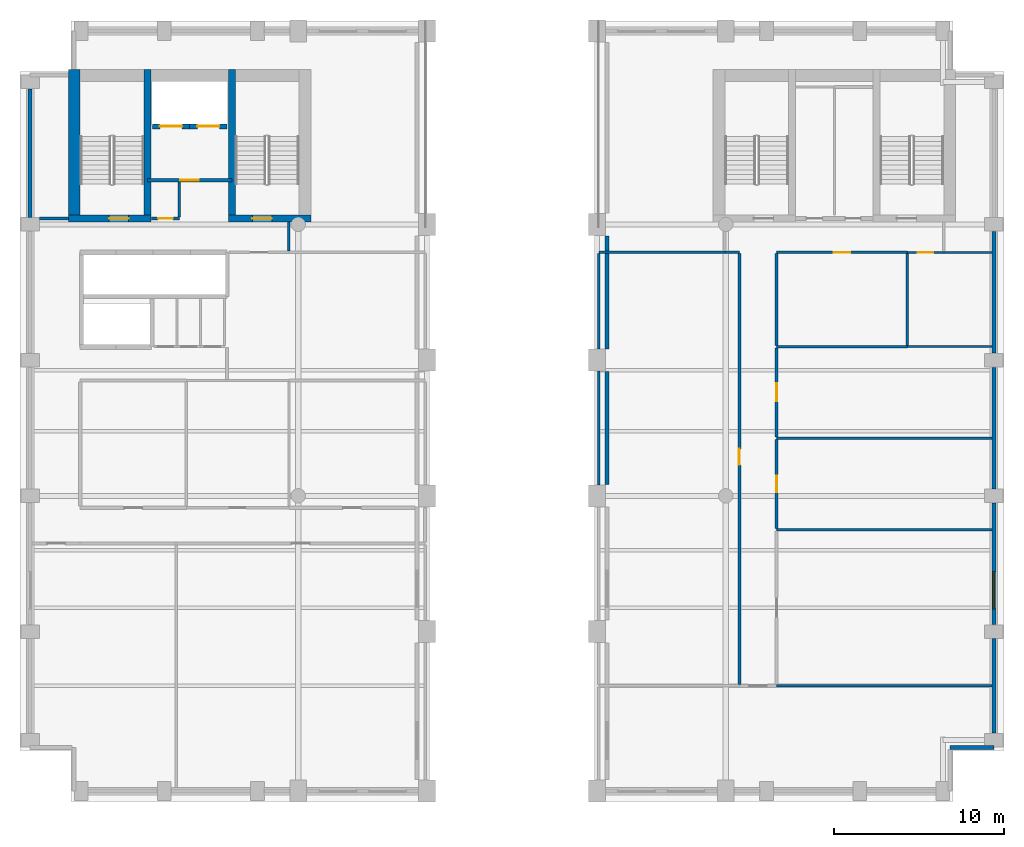
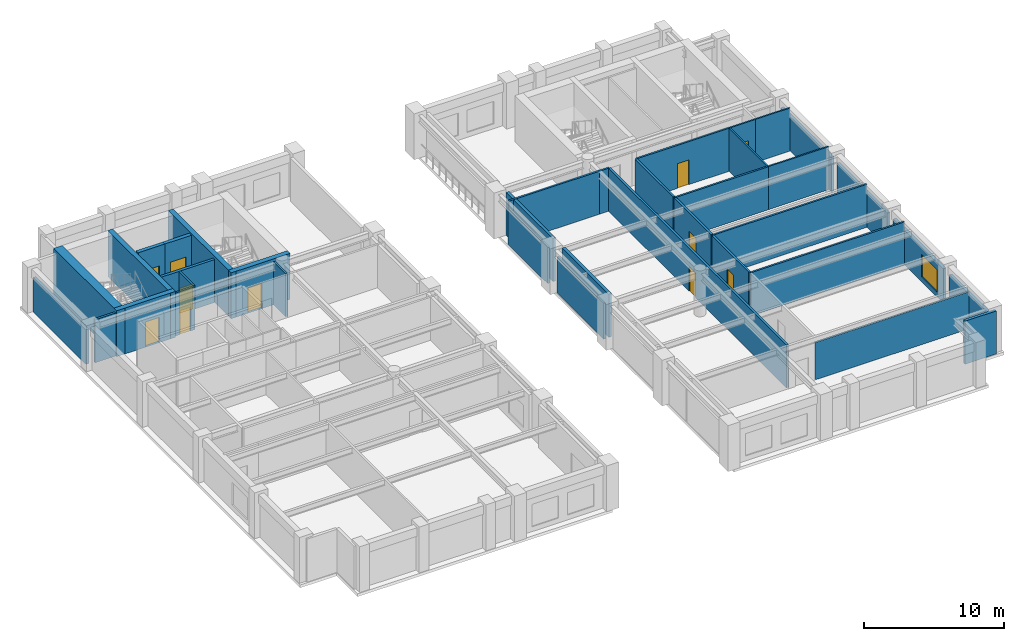
# One storey, part 4 of 8: 37 walls, 11 doors, 1 window, 12 openings.
"""IFC4 building model written with IfcOpenShell, lengths in metres."""

from ifc_helpers import new_model, si_unit, direction, frame, frame_2d, origin, place, context, subcontext, project, spatial, rectangle, extrude, material, layer, layer_set, type_object, element, fill, save


model = new_model("IFC4")

# Units and contexts
model_context = context("Model", 3, precision=1e-05, world=origin(), true_north=direction((0.0, 1.0)))
body_context = subcontext(model_context, "Body", "Model", "MODEL_VIEW")
ifc_project = project(units=[si_unit("LENGTHUNIT", "METRE"), si_unit("AREAUNIT", "SQUARE_METRE"), si_unit("VOLUMEUNIT", "CUBIC_METRE"), si_unit("PLANEANGLEUNIT", "RADIAN"), si_unit("MASSUNIT", "GRAM", prefix="KILO")], contexts=[model_context])

# Site, building, storey
site_placement = place(None, origin())
site = spatial("IfcSite", under=ifc_project, at=site_placement, CompositionType="ELEMENT")
building_placement = place(site_placement, origin())
building = spatial("IfcBuilding", under=site, at=building_placement, Name="Sulina Concourse Tower", CompositionType="ELEMENT")
storey_placement = place(building_placement, frame((0.0, 0.0, 186.60009765625)))
storey = spatial("IfcBuildingStorey", under=building, at=storey_placement, Name="L45", CompositionType="ELEMENT", Elevation=186.60009765625)

# Wall, opening, door
ifc_material_1 = material(Name="Concrete C50/60", Category="concrete")
ifc_layer_1 = layer(ifc_material_1, 0.300048828125)
ifc_layer_set_1 = layer_set([ifc_layer_1], Name="Concrete C50/60")
wall_type_1 = type_object("IfcWallType", Name="Core Lift Hoistway Wall 300mm", PredefinedType="SOLIDWALL", material=ifc_layer_set_1)
wall_1_placement = place(storey_placement, frame((10.0, 39.780029296875, 0.0), z_axis=(0.0, 0.0, 1.0), x_axis=(-1.0, 0.0, 0.0)))
wall_1 = element("IfcWall", 1, at=wall_1_placement, inside=storey, type_object=wall_type_1, Name="L45 hoistway enclosure wall FFL-1", PredefinedType="SOLIDWALL", context=body_context, shape_type="SweptSolid", body=[
    extrude(rectangle(XDim=2.199951171875, YDim=0.300048828125, at=frame_2d((1.10009765625, 0.0))), origin(), (0.0, 0.0, 1.0), 4.0),
])
opening_1_placement = place(wall_1_placement, frame((0.449951171875, 0.0, 0.0)))
opening_1 = element("IfcOpeningElement", 2, at=opening_1_placement, cuts=wall_1, Name="Opening LD-02", PredefinedType="OPENING", context=body_context, shape_type="SweptSolid", body=[
    extrude(rectangle(XDim=1.300048828125, YDim=2.25, at=frame_2d((0.64990234375, 1.125))), frame((0.0, 0.159912109375, 0.0), z_axis=(0.0, -1.0, 0.0), x_axis=(1.0, 0.0, 0.0)), (0.0, 0.0, 1.0), 0.320068359375),
])
ifc_material_2 = material(Name="Stainless steel lift landing door", Category="steel")
ifc_layer_2 = layer(ifc_material_2, 0.050048828125)
ifc_layer_set_2 = layer_set([ifc_layer_2], Name="Stainless steel lift landing door")
door_type_1 = type_object("IfcDoorType", Name="Firefighting Lift Sliding Landing Door 1300x2250", OperationType="SLIDING_TO_RIGHT", PredefinedType="DOOR", material=ifc_layer_set_2)
door_1_placement = place(opening_1_placement, origin())
door_1 = element("IfcDoor", 3, at=door_1_placement, inside=storey, type_object=door_type_1, Name="L45 lift landing sliding door FFL-1", OperationType="SLIDING_TO_LEFT", OverallHeight=2.25, OverallWidth=1.300048828125, PredefinedType="DOOR", context=body_context, shape_type="SweptSolid", body=[
    extrude(rectangle(XDim=1.300048828125, YDim=2.25, at=frame_2d((0.64990234375, 1.125))), frame((0.0, 0.02490234375, 0.0), z_axis=(0.0, -1.0, 0.0), x_axis=(1.0, 0.0, 0.0)), (0.0, 0.0, 1.0), 0.050048828125),
])
fill(opening_1, door_1)

wall_2_placement = place(storey_placement, frame((12.199951171875, 39.780029296875, 0.0), z_axis=(0.0, 0.0, 1.0), x_axis=(-1.0, 0.0, 0.0)))
wall_2 = element("IfcWall", 4, at=wall_2_placement, inside=storey, type_object=wall_type_1, Name="L45 hoistway enclosure wall FFL-2", PredefinedType="SOLIDWALL", context=body_context, shape_type="SweptSolid", body=[
    extrude(rectangle(XDim=2.199951171875, YDim=0.300048828125, at=frame_2d((1.10009765625, 0.0))), origin(), (0.0, 0.0, 1.0), 4.0),
])
opening_2_placement = place(wall_2_placement, frame((0.449951171875, 0.0, 0.0)))
opening_2 = element("IfcOpeningElement", 5, at=opening_2_placement, cuts=wall_2, Name="Opening LD-02", PredefinedType="OPENING", context=body_context, shape_type="SweptSolid", body=[
    extrude(rectangle(XDim=1.300048828125, YDim=2.25, at=frame_2d((0.64990234375, 1.125))), frame((0.0, 0.159912109375, 0.0), z_axis=(0.0, -1.0, 0.0), x_axis=(1.0, 0.0, 0.0)), (0.0, 0.0, 1.0), 0.320068359375),
])
door_2_placement = place(opening_2_placement, origin())
door_2 = element("IfcDoor", 6, at=door_2_placement, inside=storey, type_object=door_type_1, Name="L45 lift landing sliding door FFL-2", OperationType="SLIDING_TO_RIGHT", OverallHeight=2.25, OverallWidth=1.300048828125, PredefinedType="DOOR", context=body_context, shape_type="SweptSolid", body=[
    extrude(rectangle(XDim=1.300048828125, YDim=2.25, at=frame_2d((0.64990234375, 1.125))), frame((0.0, 0.02490234375, 0.0), z_axis=(0.0, -1.0, 0.0), x_axis=(1.0, 0.0, 0.0)), (0.0, 0.0, 1.0), 0.050048828125),
])
fill(opening_2, door_2)

# Walls
ifc_material_3 = material(Name="Precast concrete C50/60", Category="concrete")
ifc_layer_3 = layer(ifc_material_3, 0.239990234375)
ifc_layer_set_3 = layer_set([ifc_layer_3], Name="Precast concrete C50/60")
wall_type_2 = type_object("IfcWallType", Name="Crown Precast Masonry-Frame Facade Wall 240mm", PredefinedType="SOLIDWALL", material=ifc_layer_set_3)
wall_3_placement = place(storey_placement, frame((0.60009765625, 34.419921875, 0.0), z_axis=(0.0, 0.0, 1.0), x_axis=(0.0, 1.0, 0.0)))
element("IfcWall", 7, at=wall_3_placement, inside=storey, type_object=wall_type_2, Name="L45 exterior precast wall W5", PredefinedType="SOLIDWALL", context=body_context, shape_type="SweptSolid", body=[
    extrude(rectangle(XDim=7.56005859375, YDim=0.239990234375, at=frame_2d((3.780029296875, 0.0))), origin(), (0.0, 0.0, 1.0), 3.0),
])
wall_4_placement = place(storey_placement, frame((57.39990234375, 9.580078125, 0.0), z_axis=(0.0, 0.0, 1.0), x_axis=(0.0, -1.0, 0.0)))
element("IfcWall", 8, at=wall_4_placement, inside=storey, type_object=wall_type_2, Name="L45 exterior precast wall E1", PredefinedType="SOLIDWALL", context=body_context, shape_type="SweptSolid", body=[
    extrude(rectangle(XDim=5.56005859375, YDim=0.239990234375, at=frame_2d((2.780029296875, 0.0))), origin(), (0.0, 0.0, 1.0), 3.0),
])

# Wall, opening, window
wall_5_placement = place(storey_placement, frame((57.39990234375, 17.580078125, 0.0), z_axis=(0.0, 0.0, 1.0), x_axis=(0.0, -1.0, 0.0)))
wall_5 = element("IfcWall", 9, at=wall_5_placement, inside=storey, type_object=wall_type_2, Name="L45 exterior precast wall E2", PredefinedType="SOLIDWALL", context=body_context, shape_type="SweptSolid", body=[
    extrude(rectangle(XDim=7.16015625, YDim=0.239990234375, at=frame_2d((3.580078125, 0.0))), origin(), (0.0, 0.0, 1.0), 3.0),
])
opening_3_placement = place(wall_5_placement, frame((4.0400390625, 0.0, 0.419921875)))
opening_3 = element("IfcOpeningElement", 10, at=opening_3_placement, cuts=wall_5, Name="Opening WN-76", PredefinedType="OPENING", context=body_context, shape_type="SweptSolid", body=[
    extrude(rectangle(XDim=2.199951171875, YDim=1.949951171875, at=frame_2d((1.10009765625, 0.97509765625))), frame((0.0, 0.1298828125, 0.0), z_axis=(0.0, -1.0, 0.0), x_axis=(1.0, 0.0, 0.0)), (0.0, 0.0, 1.0), 0.260009765625),
])
ifc_material_4 = material(Name="Low-E solar double glazing in bronze aluminium", Category="aluminium")
window_type = type_object("IfcWindowType", Name="Recessed Spandrel Window 2200x1950", PartitioningType="DOUBLE_PANEL_VERTICAL", PredefinedType="WINDOW", material=ifc_material_4)
window_placement = place(opening_3_placement, origin())
window = element("IfcWindow", 11, at=window_placement, inside=storey, type_object=window_type, Name="L45 punched window E2-1", OverallHeight=1.949951171875, OverallWidth=2.199951171875, PartitioningType="SINGLE_PANEL", PredefinedType="WINDOW", context=body_context, shape_type="SweptSolid", body=[
    extrude(rectangle(XDim=2.199951171875, YDim=1.949951171875, at=frame_2d((1.10009765625, 0.97509765625))), frame((0.0, 0.030029296875, 0.0), z_axis=(0.0, -1.0, 0.0), x_axis=(1.0, 0.0, 0.0)), (0.0, 0.0, 1.0), 0.06005859375),
])
fill(opening_3, window)

# Walls
for number, where, z_axis, x_axis, name in (
    (12, (57.39990234375, 25.580078125, 0.0), (0.0, 0.0, 1.0), (0.0, -1.0, 0.0), "L45 exterior precast wall E3"),
    (13, (57.39990234375, 33.580078125, 0.0), (0.0, 0.0, 1.0), (0.0, -1.0, 0.0), "L45 exterior precast wall E4"),
):
    element("IfcWall", number, at=place(storey_placement, frame(where, z_axis=z_axis, x_axis=x_axis)), inside=storey, type_object=wall_type_2, Name=name, PredefinedType="SOLIDWALL", context=body_context, shape_type="SweptSolid", body=[
        extrude(rectangle(XDim=7.16015625, YDim=0.239990234375, at=frame_2d((3.580078125, 0.0))), origin(), (0.0, 0.0, 1.0), 3.0),
    ])
wall_6_placement = place(storey_placement, frame((57.39990234375, 3.179931640625, 0.0), z_axis=(0.0, 0.0, 1.0), x_axis=(-1.0, 0.0, 0.0)))
element("IfcWall", 14, at=wall_6_placement, inside=storey, type_object=wall_type_2, Name="L45 exterior precast wall CSE1", PredefinedType="SOLIDWALL", context=body_context, shape_type="SweptSolid", body=[
    extrude(rectangle(XDim=2.579833984375, YDim=0.239990234375, at=frame_2d((1.2900390625, 0.0))), origin(), (0.0, 0.0, 1.0), 3.75),
])
for number, where, z_axis, x_axis, name in (
    (15, (34.60009765625, 18.669921875, 0.0), (0.0, 0.0, 1.0), (0.0, 1.0, 0.0), "L45 exterior precast wall PE3"),
    (16, (34.60009765625, 26.669921875, 0.0), (0.0, 0.0, 1.0), (0.0, 1.0, 0.0), "L45 exterior precast wall PE4"),
):
    element("IfcWall", number, at=place(storey_placement, frame(where, z_axis=z_axis, x_axis=x_axis)), inside=storey, type_object=wall_type_2, Name=name, PredefinedType="SOLIDWALL", context=body_context, shape_type="SweptSolid", body=[
        extrude(rectangle(XDim=6.66015625, YDim=0.239990234375, at=frame_2d((3.330078125, 0.0))), origin(), (0.0, 0.0, 1.0), 3.75),
    ])

# Wall, opening, door
ifc_material_5 = material(Name="Gypsum board on steel stud", Category="steel")
ifc_layer_4 = layer(ifc_material_5, 0.219970703125)
ifc_layer_set_4 = layer_set([ifc_layer_4], Name="Gypsum board on steel stud")
wall_type_3 = type_object("IfcWallType", Name="Fire-Rated Lobby & Compartment Wall 220mm", PredefinedType="PARTITIONING", material=ifc_layer_set_4)
wall_7_placement = place(storey_placement, frame((7.510009765625, 36.60009765625, 0.0), z_axis=(0.0, 0.0, 1.0), x_axis=(1.0, 0.0, 0.0)))
wall_7 = element("IfcWall", 17, at=wall_7_placement, inside=storey, type_object=wall_type_3, Name="L45 firefighting lobby south fire wall", PredefinedType="PARTITIONING", context=body_context, shape_type="SweptSolid", body=[
    extrude(rectangle(XDim=4.97998046875, YDim=0.219970703125, at=frame_2d((2.489990234375, 0.0))), origin(), (0.0, 0.0, 1.0), 3.75),
])
opening_4_placement = place(wall_7_placement, frame((1.93994140625, 0.0, 0.0)))
opening_4 = element("IfcOpeningElement", 18, at=opening_4_placement, cuts=wall_7, Name="Opening DR-47", PredefinedType="OPENING", context=body_context, shape_type="SweptSolid", body=[
    extrude(rectangle(XDim=1.10009765625, YDim=2.199951171875, at=frame_2d((0.550048828125, 1.10009765625))), frame((0.0, 0.119873046875, 0.0), z_axis=(0.0, -1.0, 0.0), x_axis=(1.0, 0.0, 0.0)), (0.0, 0.0, 1.0), 0.239990234375),
])
ifc_material_6 = material(Name="Galvanised steel acoustic fire leaf", Category="steel")
ifc_layer_5 = layer(ifc_material_6, 0.054931640625)
ifc_layer_set_5 = layer_set([ifc_layer_5], Name="Galvanised steel acoustic fire leaf")
door_type_2 = type_object("IfcDoorType", Name="Firefighting Lobby Fire Door 1100x2200", OperationType="NOTDEFINED", PredefinedType="DOOR", material=ifc_layer_set_5)
door_3_placement = place(opening_4_placement, origin())
door_3 = element("IfcDoor", 19, at=door_3_placement, inside=storey, type_object=door_type_2, Name="L45 firefighting lobby fire door", OperationType="SINGLE_SWING_RIGHT", OverallHeight=2.199951171875, OverallWidth=1.10009765625, PredefinedType="DOOR", context=body_context, shape_type="SweptSolid", body=[
    extrude(rectangle(XDim=1.10009765625, YDim=2.199951171875, at=frame_2d((0.550048828125, 1.10009765625))), frame((0.0, 0.02490234375, 0.0), z_axis=(0.0, -1.0, 0.0), x_axis=(1.0, 0.0, 0.0)), (0.0, 0.0, 1.0), 0.050048828125),
])
fill(opening_4, door_3)

# Walls
ifc_material_7 = material(Name="Gypsum board on steel stud", Category="steel")
ifc_layer_6 = layer(ifc_material_7, 0.14990234375)
ifc_layer_set_6 = layer_set([ifc_layer_6], Name="Gypsum board on steel stud")
wall_type_4 = type_object("IfcWallType", Name="Inter-Tenancy Acoustic Partition 150mm", PredefinedType="PARTITIONING", material=ifc_layer_set_6)
wall_8_placement = place(storey_placement, frame((44.60009765625, 6.800048828125, 0.0), z_axis=(0.0, 0.0, 1.0), x_axis=(1.0, 0.0, 0.0)))
element("IfcWall", 20, at=wall_8_placement, inside=storey, type_object=wall_type_4, Name="L45 interior partition 003", PredefinedType="PARTITIONING", context=body_context, shape_type="SweptSolid", body=[
    extrude(rectangle(XDim=12.679931640625, YDim=0.14990234375, at=frame_2d((6.33984375, 0.0))), origin(), (0.0, 0.0, 1.0), 3.244873046875),
])
for number, where, z_axis, x_axis, name in (
    (21, (44.60009765625, 16.0, 0.0), (0.0, 0.0, 1.0), (1.0, 0.0, 0.0), "L45 interior partition 007"),
    (22, (44.60009765625, 21.39990234375, 0.0), (0.0, 0.0, 1.0), (1.0, 0.0, 0.0), "L45 interior partition 011"),
):
    element("IfcWall", number, at=place(storey_placement, frame(where, z_axis=z_axis, x_axis=x_axis)), inside=storey, type_object=wall_type_4, Name=name, PredefinedType="PARTITIONING", context=body_context, shape_type="SweptSolid", body=[
        extrude(rectangle(XDim=12.679931640625, YDim=0.14990234375, at=frame_2d((6.33984375, 0.0))), origin(), (0.0, 0.0, 1.0), 3.75),
    ])
wall_9_placement = place(storey_placement, frame((44.60009765625, 26.800048828125, 0.0), z_axis=(0.0, 0.0, 1.0), x_axis=(1.0, 0.0, 0.0)))
element("IfcWall", 23, at=wall_9_placement, inside=storey, type_object=wall_type_4, Name="L45 interior partition 019", PredefinedType="PARTITIONING", context=body_context, shape_type="SweptSolid", body=[
    extrude(rectangle(XDim=7.699951171875, YDim=0.14990234375, at=frame_2d((3.85009765625, 0.0))), origin(), (0.0, 0.0, 1.0), 3.75),
])
wall_10_placement = place(storey_placement, frame((34.1201171875, 32.35009765625, 0.0), z_axis=(0.0, 0.0, 1.0), x_axis=(1.0, 0.0, 0.0)))
element("IfcWall", 24, at=wall_10_placement, inside=storey, type_object=wall_type_4, Name="L45 interior partition 023", PredefinedType="PARTITIONING", context=body_context, shape_type="SweptSolid", body=[
    extrude(rectangle(XDim=7.429931640625, YDim=0.14990234375, at=frame_2d((3.71484375, 0.0))), origin(), (0.0, 0.0, 1.0), 3.75),
])
wall_11_placement = place(storey_placement, frame((41.550048828125, 32.35009765625, 0.0), z_axis=(0.0, 0.0, 1.0), x_axis=(1.0, 0.0, 0.0)))
element("IfcWall", 25, at=wall_11_placement, inside=storey, type_object=wall_type_4, Name="L45 interior partition 024", PredefinedType="PARTITIONING", context=body_context, shape_type="SweptSolid", body=[
    extrude(rectangle(XDim=0.849853515625, YDim=0.14990234375, at=frame_2d((0.4248046875, 0.0))), origin(), (0.0, 0.0, 1.0), 3.75),
])

# Wall, opening, door
wall_12_placement = place(storey_placement, frame((44.60009765625, 32.35009765625, 0.0), z_axis=(0.0, 0.0, 1.0), x_axis=(1.0, 0.0, 0.0)))
wall_12 = element("IfcWall", 26, at=wall_12_placement, inside=storey, type_object=wall_type_4, Name="L45 interior partition 025", PredefinedType="PARTITIONING", context=body_context, shape_type="SweptSolid", body=[
    extrude(rectangle(XDim=7.699951171875, YDim=0.14990234375, at=frame_2d((3.85009765625, 0.0))), origin(), (0.0, 0.0, 1.0), 3.75),
])
opening_5_placement = place(wall_12_placement, frame((3.375, 0.0, 0.0)))
opening_5 = element("IfcOpeningElement", 27, at=opening_5_placement, cuts=wall_12, Name="Opening DR-19", PredefinedType="OPENING", context=body_context, shape_type="SweptSolid", body=[
    extrude(rectangle(XDim=0.949951171875, YDim=2.14990234375, at=frame_2d((0.47509765625, 1.074951171875))), frame((0.0, 0.0849609375, 0.0), z_axis=(0.0, -1.0, 0.0), x_axis=(1.0, 0.0, 0.0)), (0.0, 0.0, 1.0), 0.169921875),
])
ifc_material_8 = material(Name="Oak-veneered acoustic timber leaf", Category="wood")
ifc_layer_7 = layer(ifc_material_8, 0.050048828125)
ifc_layer_set_7 = layer_set([ifc_layer_7], Name="Oak-veneered acoustic timber leaf")
door_type_3 = type_object("IfcDoorType", Name="Cellular Office & Meeting Door 950x2150", OperationType="NOTDEFINED", PredefinedType="DOOR", material=ifc_layer_set_7)
door_4_placement = place(opening_5_placement, origin())
door_4 = element("IfcDoor", 28, at=door_4_placement, inside=storey, type_object=door_type_3, Name="L45 interior door L45-REC-E1", OperationType="SINGLE_SWING_LEFT", OverallHeight=2.14990234375, OverallWidth=0.949951171875, PredefinedType="DOOR", context=body_context, shape_type="SweptSolid", body=[
    extrude(rectangle(XDim=0.949951171875, YDim=2.14990234375, at=frame_2d((0.47509765625, 1.074951171875))), frame((0.0, 0.02490234375, 0.0), z_axis=(0.0, -1.0, 0.0), x_axis=(1.0, 0.0, 0.0)), (0.0, 0.0, 1.0), 0.050048828125),
])
fill(opening_5, door_4)

wall_13_placement = place(storey_placement, frame((7.75, 34.35009765625, 0.0), z_axis=(0.0, 0.0, 1.0), x_axis=(1.0, 0.0, 0.0)))
wall_13 = element("IfcWall", 29, at=wall_13_placement, inside=storey, type_object=wall_type_4, Name="L45 interior partition 029", PredefinedType="PARTITIONING", context=body_context, shape_type="SweptSolid", body=[
    extrude(rectangle(XDim=1.64990234375, YDim=0.14990234375, at=frame_2d((0.824951171875, 0.0))), origin(), (0.0, 0.0, 1.0), 3.75),
])
opening_6_placement = place(wall_13_placement, frame((0.385009765625, 0.0, 0.0)))
opening_6 = element("IfcOpeningElement", 30, at=opening_6_placement, cuts=wall_13, Name="Opening DR-38", PredefinedType="OPENING", context=body_context, shape_type="SweptSolid", body=[
    extrude(rectangle(XDim=0.8798828125, YDim=2.10009765625, at=frame_2d((0.43994140625, 1.050048828125))), frame((0.0, 0.0849609375, 0.0), z_axis=(0.0, -1.0, 0.0), x_axis=(1.0, 0.0, 0.0)), (0.0, 0.0, 1.0), 0.169921875),
])
ifc_material_9 = material(Name="Galvanised steel acoustic fire leaf", Category="steel")
ifc_layer_8 = layer(ifc_material_9, 0.050048828125)
ifc_layer_set_8 = layer_set([ifc_layer_8], Name="Galvanised steel acoustic fire leaf")
door_type_4 = type_object("IfcDoorType", Name="Service Riser Fire Door 880x2100", OperationType="NOTDEFINED", PredefinedType="DOOR", material=ifc_layer_set_8)
door_5_placement = place(opening_6_placement, origin())
door_5 = element("IfcDoor", 31, at=door_5_placement, inside=storey, type_object=door_type_4, Name="L45 interior door L45-CLN-N", OperationType="SINGLE_SWING_LEFT", OverallHeight=2.10009765625, OverallWidth=0.8798828125, PredefinedType="DOOR", context=body_context, shape_type="SweptSolid", body=[
    extrude(rectangle(XDim=0.8798828125, YDim=2.10009765625, at=frame_2d((0.43994140625, 1.050048828125))), frame((0.0, 0.02490234375, 0.0), z_axis=(0.0, -1.0, 0.0), x_axis=(1.0, 0.0, 0.0)), (0.0, 0.0, 1.0), 0.050048828125),
])
fill(opening_6, door_5)

# Walls
wall_14_placement = place(storey_placement, frame((9.39990234375, 34.425048828125, 0.0), z_axis=(0.0, 0.0, 1.0), x_axis=(0.0, 1.0, 0.0)))
element("IfcWall", 32, at=wall_14_placement, inside=storey, type_object=wall_type_4, Name="L45 interior partition 035", PredefinedType="PARTITIONING", context=body_context, shape_type="SweptSolid", body=[
    extrude(rectangle(XDim=2.06494140625, YDim=0.14990234375, at=frame_2d((1.032470703125, 0.0))), origin(), (0.0, 0.0, 1.0), 3.75),
])
wall_15_placement = place(storey_placement, frame((15.85009765625, 32.425048828125, 0.0), z_axis=(0.0, 0.0, 1.0), x_axis=(0.0, 1.0, 0.0)))
element("IfcWall", 33, at=wall_15_placement, inside=storey, type_object=wall_type_4, Name="L45 interior partition 041", PredefinedType="PARTITIONING", context=body_context, shape_type="SweptSolid", body=[
    extrude(rectangle(XDim=1.724853515625, YDim=0.14990234375, at=frame_2d((0.8623046875, 0.0))), origin(), (0.0, 0.0, 1.0), 3.75),
])
wall_16_placement = place(storey_placement, frame((34.1201171875, 18.64990234375, 0.0), z_axis=(0.0, 0.0, 1.0), x_axis=(0.0, 1.0, 0.0)))
element("IfcWall", 34, at=wall_16_placement, inside=storey, type_object=wall_type_4, Name="L45 interior partition 050", PredefinedType="PARTITIONING", context=body_context, shape_type="SweptSolid", body=[
    extrude(rectangle(XDim=6.7001953125, YDim=0.14990234375, at=frame_2d((3.35009765625, 0.0))), origin(), (0.0, 0.0, 1.0), 3.14501953125),
])
wall_17_placement = place(storey_placement, frame((34.1201171875, 26.64990234375, 0.0), z_axis=(0.0, 0.0, 1.0), x_axis=(0.0, 1.0, 0.0)))
element("IfcWall", 35, at=wall_17_placement, inside=storey, type_object=wall_type_4, Name="L45 interior partition 051", PredefinedType="PARTITIONING", context=body_context, shape_type="SweptSolid", body=[
    extrude(rectangle(XDim=5.625, YDim=0.14990234375, at=frame_2d((2.8125, 0.0))), origin(), (0.0, 0.0, 1.0), 3.14501953125),
])
ifc_material_10 = material(Name="Gypsum board on steel stud", Category="steel")
ifc_layer_9 = layer(ifc_material_10, 0.179931640625)
ifc_layer_set_9 = layer_set([ifc_layer_9], Name="Gypsum board on steel stud")
wall_type_5 = type_object("IfcWallType", Name="Protected Corridor & Riser Partition 180mm", PredefinedType="PARTITIONING", material=ifc_layer_set_9)
wall_18_placement = place(storey_placement, frame((1.14990234375, 34.35009765625, 0.0), z_axis=(0.0, 0.0, 1.0), x_axis=(1.0, 0.0, 0.0)))
element("IfcWall", 36, at=wall_18_placement, inside=storey, type_object=wall_type_5, Name="L45 interior partition 028", PredefinedType="PARTITIONING", context=body_context, shape_type="SweptSolid", body=[
    extrude(rectangle(XDim=1.7001953125, YDim=0.179931640625, at=frame_2d((0.85009765625, 0.0))), origin(), (0.0, 0.0, 1.0), 3.75),
])

# Wall, opening, door
wall_19_placement = place(storey_placement, frame((42.39990234375, 6.889892578125, 0.0), z_axis=(0.0, 0.0, 1.0), x_axis=(0.0, 1.0, 0.0)))
wall_19 = element("IfcWall", 37, at=wall_19_placement, inside=storey, type_object=wall_type_5, Name="L45 interior partition 053", PredefinedType="PARTITIONING", context=body_context, shape_type="SweptSolid", body=[
    extrude(rectangle(XDim=25.385009765625, YDim=0.179931640625, at=frame_2d((12.6923828125, 0.0))), origin(), (0.0, 0.0, 1.0), 3.75),
])
opening_7_placement = place(wall_19_placement, frame((12.9375, 0.0, 0.0)))
opening_7 = element("IfcOpeningElement", 38, at=opening_7_placement, cuts=wall_19, Name="Opening DR-19", PredefinedType="OPENING", context=body_context, shape_type="SweptSolid", body=[
    extrude(rectangle(XDim=0.949951171875, YDim=2.14990234375, at=frame_2d((0.47509765625, 1.074951171875))), frame((0.0, 0.099853515625, 0.0), z_axis=(0.0, -1.0, 0.0), x_axis=(1.0, 0.0, 0.0)), (0.0, 0.0, 1.0), 0.199951171875),
])
door_6_placement = place(opening_7_placement, origin())
door_6 = element("IfcDoor", 39, at=door_6_placement, inside=storey, type_object=door_type_3, Name="L45 interior door L45-STD-EW", OperationType="SINGLE_SWING_RIGHT", OverallHeight=2.14990234375, OverallWidth=0.949951171875, PredefinedType="DOOR", context=body_context, shape_type="SweptSolid", body=[
    extrude(rectangle(XDim=0.949951171875, YDim=2.14990234375, at=frame_2d((0.47509765625, 1.074951171875))), frame((0.0, 0.02490234375, 0.0), z_axis=(0.0, -1.0, 0.0), x_axis=(1.0, 0.0, 0.0)), (0.0, 0.0, 1.0), 0.050048828125),
])
fill(opening_7, door_6)

wall_20_placement = place(storey_placement, frame((44.60009765625, 16.074951171875, 0.0), z_axis=(0.0, 0.0, 1.0), x_axis=(0.0, 1.0, 0.0)))
wall_20 = element("IfcWall", 40, at=wall_20_placement, inside=storey, type_object=wall_type_5, Name="L45 interior partition 055", PredefinedType="PARTITIONING", context=body_context, shape_type="SweptSolid", body=[
    extrude(rectangle(XDim=5.25, YDim=0.179931640625, at=frame_2d((2.625, 0.0))), origin(), (0.0, 0.0, 1.0), 3.75),
])
opening_8_placement = place(wall_20_placement, frame((2.14990234375, 0.0, 0.0)))
opening_8 = element("IfcOpeningElement", 41, at=opening_8_placement, cuts=wall_20, Name="Opening DR-19", PredefinedType="OPENING", context=body_context, shape_type="SweptSolid", body=[
    extrude(rectangle(XDim=0.949951171875, YDim=2.14990234375, at=frame_2d((0.47509765625, 1.074951171875))), frame((0.0, 0.099853515625, 0.0), z_axis=(0.0, -1.0, 0.0), x_axis=(1.0, 0.0, 0.0)), (0.0, 0.0, 1.0), 0.199951171875),
])
door_7_placement = place(opening_8_placement, origin())
door_7 = element("IfcDoor", 42, at=door_7_placement, inside=storey, type_object=door_type_3, Name="L45 interior door L45-PNT-E1", OperationType="SINGLE_SWING_RIGHT", OverallHeight=2.14990234375, OverallWidth=0.949951171875, PredefinedType="DOOR", context=body_context, shape_type="SweptSolid", body=[
    extrude(rectangle(XDim=0.949951171875, YDim=2.14990234375, at=frame_2d((0.47509765625, 1.074951171875))), frame((0.0, 0.02490234375, 0.0), z_axis=(0.0, -1.0, 0.0), x_axis=(1.0, 0.0, 0.0)), (0.0, 0.0, 1.0), 0.050048828125),
])
fill(opening_8, door_7)

wall_21_placement = place(storey_placement, frame((44.60009765625, 21.47509765625, 0.0), z_axis=(0.0, 0.0, 1.0), x_axis=(0.0, 1.0, 0.0)))
wall_21 = element("IfcWall", 43, at=wall_21_placement, inside=storey, type_object=wall_type_5, Name="L45 interior partition 056", PredefinedType="PARTITIONING", context=body_context, shape_type="SweptSolid", body=[
    extrude(rectangle(XDim=5.25, YDim=0.179931640625, at=frame_2d((2.625, 0.0))), origin(), (0.0, 0.0, 1.0), 3.75),
])
opening_9_placement = place(wall_21_placement, frame((2.10009765625, 0.0, 0.0)))
opening_9 = element("IfcOpeningElement", 44, at=opening_9_placement, cuts=wall_21, Name="Opening DR-37", PredefinedType="OPENING", context=body_context, shape_type="SweptSolid", body=[
    extrude(rectangle(XDim=1.050048828125, YDim=2.14990234375, at=frame_2d((0.52490234375, 1.074951171875))), frame((0.0, 0.099853515625, 0.0), z_axis=(0.0, -1.0, 0.0), x_axis=(1.0, 0.0, 0.0)), (0.0, 0.0, 1.0), 0.199951171875),
])
ifc_material_11 = material(Name="Oak-veneered fire door leaf")
ifc_layer_10 = layer(ifc_material_11, 0.050048828125)
ifc_layer_set_10 = layer_set([ifc_layer_10], Name="Oak-veneered fire door leaf")
door_type_5 = type_object("IfcDoorType", Name="Tenant Suite Entrance Fire Door 1050x2150", OperationType="NOTDEFINED", PredefinedType="DOOR", material=ifc_layer_set_10)
door_8_placement = place(opening_9_placement, origin())
door_8 = element("IfcDoor", 45, at=door_8_placement, inside=storey, type_object=door_type_5, Name="L45 interior door L45-OFF-E4", OperationType="SINGLE_SWING_LEFT", OverallHeight=2.14990234375, OverallWidth=1.050048828125, PredefinedType="DOOR", context=body_context, shape_type="SweptSolid", body=[
    extrude(rectangle(XDim=1.050048828125, YDim=2.14990234375, at=frame_2d((0.52490234375, 1.074951171875))), frame((0.0, 0.02490234375, 0.0), z_axis=(0.0, -1.0, 0.0), x_axis=(1.0, 0.0, 0.0)), (0.0, 0.0, 1.0), 0.050048828125),
])
fill(opening_9, door_8)

# Wall
wall_22_placement = place(storey_placement, frame((44.60009765625, 26.875, 0.0), z_axis=(0.0, 0.0, 1.0), x_axis=(0.0, 1.0, 0.0)))
element("IfcWall", 46, at=wall_22_placement, inside=storey, type_object=wall_type_5, Name="L45 interior partition 057", PredefinedType="PARTITIONING", context=body_context, shape_type="SweptSolid", body=[
    extrude(rectangle(XDim=5.39990234375, YDim=0.179931640625, at=frame_2d((2.699951171875, 0.0))), origin(), (0.0, 0.0, 1.0), 3.75),
])

# Wall, opening, door
ifc_material_12 = material(Name="Concrete C60/75", Category="concrete")
ifc_layer_11 = layer(ifc_material_12, 0.39990234375)
ifc_layer_set_11 = layer_set([ifc_layer_11], Name="Concrete C60/75")
wall_type_6 = type_object("IfcWallType", Name="Protected Stair Core Shear Wall 400mm", PredefinedType="SHEAR", material=ifc_layer_set_11)
wall_23_placement = place(storey_placement, frame((2.85009765625, 34.35009765625, 0.0), z_axis=(0.0, 0.0, 1.0), x_axis=(1.0, 0.0, 0.0)))
wall_23 = element("IfcWall", 47, at=wall_23_placement, inside=storey, type_object=wall_type_6, Name="L45 west core shear wall CW-WS1", PredefinedType="SHEAR", context=body_context, shape_type="SweptSolid", body=[
    extrude(rectangle(XDim=4.85986328125, YDim=0.39990234375, at=frame_2d((2.429931640625, 0.0))), origin(), (0.0, 0.0, 1.0), 4.0),
])
opening_10_placement = place(wall_23_placement, frame((2.39990234375, 0.0, 0.0)))
opening_10 = element("IfcOpeningElement", 48, at=opening_10_placement, cuts=wall_23, Name="Opening DR-60", PredefinedType="OPENING", context=body_context, shape_type="SweptSolid", body=[
    extrude(rectangle(XDim=1.14990234375, YDim=2.199951171875, at=frame_2d((0.574951171875, 1.10009765625))), frame((0.0, 0.2099609375, 0.0), z_axis=(0.0, -1.0, 0.0), x_axis=(1.0, 0.0, 0.0)), (0.0, 0.0, 1.0), 0.419921875),
])
ifc_material_13 = material(Name="Galvanised steel acoustic fire leaf", Category="steel")
ifc_layer_12 = layer(ifc_material_13, 0.054931640625)
ifc_layer_set_12 = layer_set([ifc_layer_12], Name="Galvanised steel acoustic fire leaf")
door_type_6 = type_object("IfcDoorType", Name="Protected Exit Stair Fire Door 1150x2200", OperationType="NOTDEFINED", PredefinedType="DOOR", material=ifc_layer_set_12)
door_9_placement = place(opening_10_placement, origin())
door_9 = element("IfcDoor", 49, at=door_9_placement, inside=storey, type_object=door_type_6, Name="L45 stair ST-1 lobby fire door", OperationType="SINGLE_SWING_RIGHT", OverallHeight=2.199951171875, OverallWidth=1.14990234375, PredefinedType="DOOR", context=body_context, shape_type="SweptSolid", body=[
    extrude(rectangle(XDim=1.14990234375, YDim=2.199951171875, at=frame_2d((0.574951171875, 1.10009765625))), frame((0.0, 0.02490234375, 0.0), z_axis=(0.0, -1.0, 0.0), x_axis=(1.0, 0.0, 0.0)), (0.0, 0.0, 1.0), 0.050048828125),
])
fill(opening_10, door_9)

wall_24_placement = place(storey_placement, frame((12.2900390625, 34.35009765625, 0.0), z_axis=(0.0, 0.0, 1.0), x_axis=(1.0, 0.0, 0.0)))
wall_24 = element("IfcWall", 50, at=wall_24_placement, inside=storey, type_object=wall_type_6, Name="L45 west core shear wall CW-WS2", PredefinedType="SHEAR", context=body_context, shape_type="SweptSolid", body=[
    extrude(rectangle(XDim=4.85986328125, YDim=0.39990234375, at=frame_2d((2.429931640625, 0.0))), origin(), (0.0, 0.0, 1.0), 4.0),
])
opening_11_placement = place(wall_24_placement, frame((1.39990234375, 0.0, 0.0)))
opening_11 = element("IfcOpeningElement", 51, at=opening_11_placement, cuts=wall_24, Name="Opening DR-60", PredefinedType="OPENING", context=body_context, shape_type="SweptSolid", body=[
    extrude(rectangle(XDim=1.14990234375, YDim=2.199951171875, at=frame_2d((0.574951171875, 1.10009765625))), frame((0.0, 0.2099609375, 0.0), z_axis=(0.0, -1.0, 0.0), x_axis=(1.0, 0.0, 0.0)), (0.0, 0.0, 1.0), 0.419921875),
])
door_10_placement = place(opening_11_placement, origin())
door_10 = element("IfcDoor", 52, at=door_10_placement, inside=storey, type_object=door_type_6, Name="L45 stair ST-2 lobby fire door", OperationType="SINGLE_SWING_LEFT", OverallHeight=2.199951171875, OverallWidth=1.14990234375, PredefinedType="DOOR", context=body_context, shape_type="SweptSolid", body=[
    extrude(rectangle(XDim=1.14990234375, YDim=2.199951171875, at=frame_2d((0.574951171875, 1.10009765625))), frame((0.0, 0.02490234375, 0.0), z_axis=(0.0, -1.0, 0.0), x_axis=(1.0, 0.0, 0.0)), (0.0, 0.0, 1.0), 0.050048828125),
])
fill(opening_11, door_10)

# Walls
for number, where, z_axis, x_axis, name in (
    (53, (7.510009765625, 34.14990234375, 0.0), (0.0, 0.0, 1.0), (0.0, 1.0, 0.0), "L45 west core shear wall SW-ST1"),
    (54, (12.489990234375, 34.14990234375, 0.0), (0.0, 0.0, 1.0), (0.0, 1.0, 0.0), "L45 west core shear wall SW-ST2"),
):
    element("IfcWall", number, at=place(storey_placement, frame(where, z_axis=z_axis, x_axis=x_axis)), inside=storey, type_object=wall_type_6, Name=name, PredefinedType="SHEAR", context=body_context, shape_type="SweptSolid", body=[
        extrude(rectangle(XDim=8.97998046875, YDim=0.39990234375, at=frame_2d((4.489990234375, 0.0))), origin(), (0.0, 0.0, 1.0), 4.0),
    ])
ifc_material_14 = material(Name="Concrete C60/75", Category="concrete")
ifc_layer_13 = layer(ifc_material_14, 0.699951171875)
ifc_layer_set_13 = layer_set([ifc_layer_13], Name="Concrete C60/75")
wall_type_7 = type_object("IfcWallType", Name="Rear Core Shear Wall 700mm", PredefinedType="SHEAR", material=ifc_layer_set_13)
wall_25_placement = place(storey_placement, frame((3.199951171875, 34.14990234375, 0.0), z_axis=(0.0, 0.0, 1.0), x_axis=(0.0, 1.0, 0.0)))
element("IfcWall", 55, at=wall_25_placement, inside=storey, type_object=wall_type_7, Name="L45 west core shear wall CW-WW", PredefinedType="SHEAR", context=body_context, shape_type="SweptSolid", body=[
    extrude(rectangle(XDim=8.97998046875, YDim=0.699951171875, at=frame_2d((4.489990234375, 0.0))), origin(), (0.0, 0.0, 1.0), 4.0),
])
ifc_material_15 = material(Name="Gypsum board on steel stud", Category="steel")
ifc_layer_14 = layer(ifc_material_15, 0.125)
ifc_layer_set_14 = layer_set([ifc_layer_14], Name="Gypsum board on steel stud")
wall_type_8 = type_object("IfcWallType", Name="Wet-Area Moisture-Resistant Partition 125mm", PredefinedType="PARTITIONING", material=ifc_layer_set_14)
wall_26_placement = place(storey_placement, frame((52.300048828125, 26.800048828125, 0.0), z_axis=(0.0, 0.0, 1.0), x_axis=(1.0, 0.0, 0.0)))
element("IfcWall", 56, at=wall_26_placement, inside=storey, type_object=wall_type_8, Name="L45 interior partition 020", PredefinedType="PARTITIONING", context=body_context, shape_type="SweptSolid", body=[
    extrude(rectangle(XDim=4.97998046875, YDim=0.125, at=frame_2d((2.489990234375, 0.0))), origin(), (0.0, 0.0, 1.0), 3.75),
])

# Wall, opening, door
wall_27_placement = place(storey_placement, frame((52.300048828125, 32.35009765625, 0.0), z_axis=(0.0, 0.0, 1.0), x_axis=(1.0, 0.0, 0.0)))
wall_27 = element("IfcWall", 57, at=wall_27_placement, inside=storey, type_object=wall_type_8, Name="L45 interior partition 026", PredefinedType="PARTITIONING", context=body_context, shape_type="SweptSolid", body=[
    extrude(rectangle(XDim=2.14990234375, YDim=0.125, at=frame_2d((1.074951171875, 0.0))), origin(), (0.0, 0.0, 1.0), 3.75),
])
opening_12_placement = place(wall_27_placement, frame((0.614990234375, 0.0, 0.0)))
opening_12 = element("IfcOpeningElement", 58, at=opening_12_placement, cuts=wall_27, Name="Opening DR-61", PredefinedType="OPENING", context=body_context, shape_type="SweptSolid", body=[
    extrude(rectangle(XDim=0.919921875, YDim=2.10009765625, at=frame_2d((0.4599609375, 1.050048828125))), frame((0.0, 0.072509765625, 0.0), z_axis=(0.0, -1.0, 0.0), x_axis=(1.0, 0.0, 0.0)), (0.0, 0.0, 1.0), 0.14501953125),
])
ifc_material_16 = material(Name="Oak-veneered fire door leaf")
ifc_layer_15 = layer(ifc_material_16, 0.050048828125)
ifc_layer_set_15 = layer_set([ifc_layer_15], Name="Oak-veneered fire door leaf")
door_type_7 = type_object("IfcDoorType", Name="Accessible WC Door 920x2100", OperationType="NOTDEFINED", PredefinedType="DOOR", material=ifc_layer_set_15)
door_11_placement = place(opening_12_placement, origin())
door_11 = element("IfcDoor", 59, at=door_11_placement, inside=storey, type_object=door_type_7, Name="L45 interior door L45-WC-EA", OperationType="SINGLE_SWING_RIGHT", OverallHeight=2.10009765625, OverallWidth=0.919921875, PredefinedType="DOOR", context=body_context, shape_type="SweptSolid", body=[
    extrude(rectangle(XDim=0.919921875, YDim=2.10009765625, at=frame_2d((0.4599609375, 1.050048828125))), frame((0.0, 0.02490234375, 0.0), z_axis=(0.0, -1.0, 0.0), x_axis=(1.0, 0.0, 0.0)), (0.0, 0.0, 1.0), 0.050048828125),
])
fill(opening_12, door_11)

# Walls
wall_28_placement = place(storey_placement, frame((54.449951171875, 32.35009765625, 0.0), z_axis=(0.0, 0.0, 1.0), x_axis=(1.0, 0.0, 0.0)))
element("IfcWall", 60, at=wall_28_placement, inside=storey, type_object=wall_type_8, Name="L45 interior partition 027", PredefinedType="PARTITIONING", context=body_context, shape_type="SweptSolid", body=[
    extrude(rectangle(XDim=2.830078125, YDim=0.125, at=frame_2d((1.4150390625, 0.0))), origin(), (0.0, 0.0, 1.0), 3.75),
])
wall_29_placement = place(storey_placement, frame((52.300048828125, 26.875, 0.0), z_axis=(0.0, 0.0, 1.0), x_axis=(0.0, 1.0, 0.0)))
element("IfcWall", 61, at=wall_29_placement, inside=storey, type_object=wall_type_8, Name="L45 interior partition 059", PredefinedType="PARTITIONING", context=body_context, shape_type="SweptSolid", body=[
    extrude(rectangle(XDim=5.39990234375, YDim=0.125, at=frame_2d((2.699951171875, 0.0))), origin(), (0.0, 0.0, 1.0), 3.75),
])

save(model, "model.ifc")
